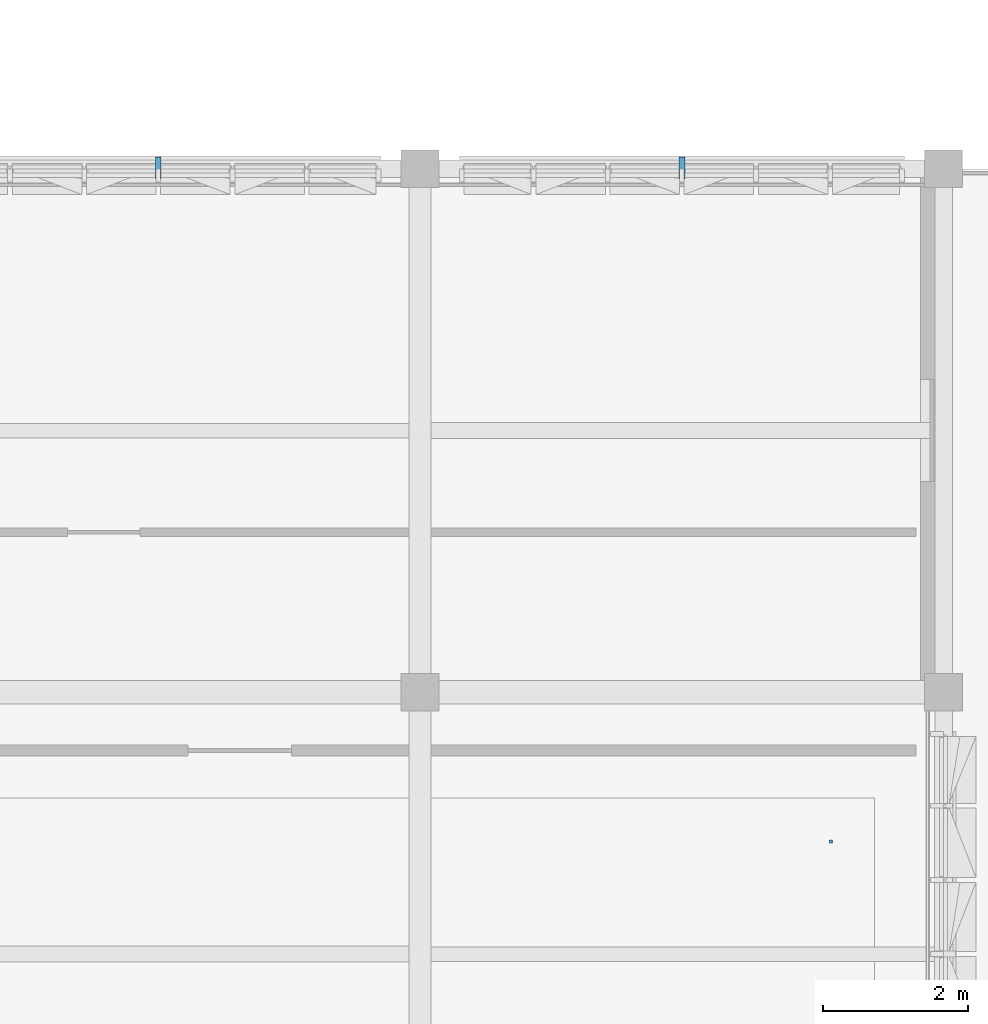
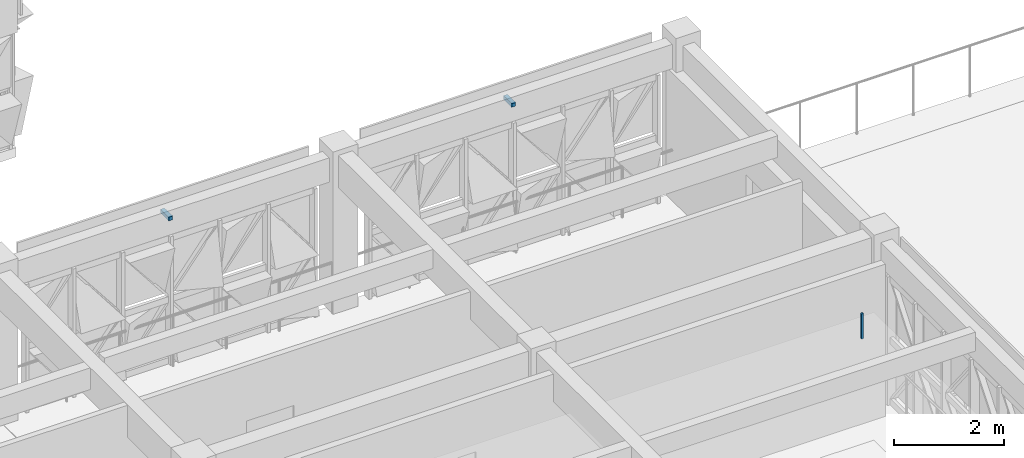
# One storey, part 70 of 99: 3 discrete accessories.
"""IFC4 building model written with IfcOpenShell, lengths in metres."""

import ifcopenshell
import ifcopenshell.guid

model = None  # the IFC model being written
_history = None  # IfcOwnerHistory: only IFC2X3 demands one
_inside = {}  # id of a spatial element -> (the spatial element, [elements in it])
_under = {}  # id of a project, library or spatial element -> (it, [spatial elements below it])
_declared = {}  # id of a project -> (the project, [libraries it declares])
_typed = {}  # id of a type object -> (the type object, [elements of that type])
_made_of = {}  # id of a material, layer set ... -> (it, [elements and type objects made of it])


def new_model(schema):
    """Start an empty IFC model of exactly this schema.

    Asked for "IFC4X3", IfcOpenShell would pick the latest addendum, in which some entities
    have other attributes; the version numbers below select the first issue.
    IFC2X3 requires an IfcOwnerHistory on every rooted entity: one is made here for all.
    """
    global model, _history
    if schema == "IFC4X3":
        model = ifcopenshell.file(schema_version=(4, 3, 0, 0))
    else:
        model = ifcopenshell.file(schema=schema)
    _inside.clear()
    _under.clear()
    _declared.clear()
    _typed.clear()
    _made_of.clear()
    _history = None
    if model.schema == "IFC2X3":
        org = make("IfcOrganization", Name="unknown")
        user = make(
            "IfcPersonAndOrganization",
            ThePerson=make("IfcPerson", FamilyName="unknown"),
            TheOrganization=org,
        )
        app = make(
            "IfcApplication",
            ApplicationDeveloper=org,
            Version="unknown",
            ApplicationFullName="unknown",
            ApplicationIdentifier="unknown",
        )
        _history = make(
            "IfcOwnerHistory",
            OwningUser=user,
            OwningApplication=app,
            ChangeAction="ADDED",
            CreationDate=0,
        )
    return model


def make(cls, **values):
    """One entity of the class cls with the attributes given. An attribute that is None is left unset."""
    return model.create_entity(
        cls, **{name: value for name, value in values.items() if value is not None}
    )


def rooted(cls, **values):
    """An entity with a GlobalId (a new one), such as an element, a storey or a relation."""
    return make(cls, GlobalId=ifcopenshell.guid.new(), OwnerHistory=_history, **values)


def si_unit(unit_type, name, prefix=None):
    """IfcSIUnit, for example si_unit("LENGTHUNIT", "METRE", prefix="MILLI")."""
    return make("IfcSIUnit", UnitType=unit_type, Prefix=prefix, Name=name)


def assignment(units):
    """IfcUnitAssignment: the units of a project."""
    return None if units is None else make("IfcUnitAssignment", Units=units)


def point(xyz):
    """IfcCartesianPoint."""
    return None if xyz is None else make("IfcCartesianPoint", Coordinates=xyz)


def direction(xyz):
    """IfcDirection."""
    return None if xyz is None else make("IfcDirection", DirectionRatios=xyz)


def frame(location, z_axis=None, x_axis=None):
    """IfcAxis2Placement3D, a coordinate frame: its origin and axes. An axis left out is left unset."""
    return make(
        "IfcAxis2Placement3D",
        Location=point(location),
        Axis=direction(z_axis),
        RefDirection=direction(x_axis),
    )


def frame_2d(location, x_axis=None):
    """IfcAxis2Placement2D, a coordinate frame in the plane: its origin and x axis."""
    return make(
        "IfcAxis2Placement2D", Location=point(location), RefDirection=direction(x_axis)
    )


def origin():
    """The frame at (0, 0, 0) with its axes left unset."""
    return frame((0.0, 0.0, 0.0))


def origin_2d():
    """The frame at (0, 0) in the plane with its x axis left unset."""
    return frame_2d((0.0, 0.0))


def place(relative_to, where):
    """IfcLocalPlacement: puts the frame where relative to a parent placement (None: the world)."""
    return make(
        "IfcLocalPlacement", PlacementRelTo=relative_to, RelativePlacement=where
    )


def context(
    kind, dimensions, precision=None, world=None, true_north=None, identifier=None
):
    """IfcGeometricRepresentationContext, for example the 3D "Model" context."""
    return make(
        "IfcGeometricRepresentationContext",
        ContextIdentifier=identifier,
        ContextType=kind,
        CoordinateSpaceDimension=dimensions,
        Precision=precision,
        WorldCoordinateSystem=world,
        TrueNorth=true_north,
    )


def subcontext(parent, identifier, kind, view, scale=None):
    """IfcGeometricRepresentationSubContext, for example "Body" below "Model"."""
    return make(
        "IfcGeometricRepresentationSubContext",
        ContextIdentifier=identifier,
        ContextType=kind,
        ParentContext=parent,
        TargetScale=scale,
        TargetView=view,
    )


def project(units=None, contexts=None):
    """IfcProject with its units and contexts."""
    return rooted(
        "IfcProject",
        Name="project",
        RepresentationContexts=contexts,
        UnitsInContext=assignment(units),
    )


def spatial(cls, under=None, at=None, **own):
    """A site, building, storey or space (cls), placed at a placement, below another one or the project."""
    s = rooted(cls, ObjectPlacement=at, **own)
    if under is not None:
        _under.setdefault(under.id(), (under, []))[1].append(s)
    return s


def profile(cls, at=None, kind="AREA", **sizes):
    """A parametric profile (cls). Its sizes go by their IFC names, for example OverallWidth=200.0."""
    return make(cls, ProfileType=kind, Position=at, **sizes)


def rectangle(**sizes):
    """IfcRectangleProfileDef."""
    return profile("IfcRectangleProfileDef", **sizes)


def extrude(swept, where, along, depth):
    """IfcExtrudedAreaSolid: the profile swept, set in the frame where, extruded along a direction by depth."""
    return make(
        "IfcExtrudedAreaSolid",
        SweptArea=swept,
        Position=where,
        ExtrudedDirection=direction(along),
        Depth=depth,
    )


def shape(context_of_items, identifier, shape_type, items):
    """IfcShapeRepresentation: the items that make up one representation, for example the "Body"."""
    return make(
        "IfcShapeRepresentation",
        ContextOfItems=context_of_items,
        RepresentationIdentifier=identifier,
        RepresentationType=shape_type,
        Items=items,
    )


def material(Name=None, Category=None):
    """IfcMaterial."""
    return make("IfcMaterial", Name=Name, Category=Category)


def made_of(thing, what):
    """Note that an element or type object is made of a material, layer set ...; save() writes the relation."""
    if what is not None:
        _made_of.setdefault(what.id(), (what, []))[1].append(thing)
    return thing


def type_object(cls, material=None, **own):
    """A type object (cls), such as IfcWallType, which elements share."""
    return made_of(rooted(cls, **own), material)


def element(
    cls,
    number,
    at=None,
    inside=None,
    cuts=None,
    type_object=None,
    material=None,
    context=None,
    identifier="Body",
    shape_type=None,
    held_by="IfcProductDefinitionShape",
    body=None,
    shapes=None,
    **own,
):
    """One element of the class cls, such as IfcWall. Its Tag is "e" and its number.

    at: its placement. inside: the storey or other place that contains it. cuts: it is an
    opening in that element (IfcRelVoidsElement). A single representation is given by context,
    identifier, shape_type and body (its items); several are given by shapes. held_by: the class
    of the entity that holds the representations. save() writes the other relations.
    """
    e = rooted(cls, Tag="e%d" % number, ObjectPlacement=at, **own)
    if body is not None:
        shapes = [shape(context, identifier, shape_type, body)]
    if shapes is not None:
        e.Representation = make(held_by, Representations=shapes)
    if inside is not None:
        _inside.setdefault(inside.id(), (inside, []))[1].append(e)
    if cuts is not None:
        rooted(
            "IfcRelVoidsElement", RelatingBuildingElement=cuts, RelatedOpeningElement=e
        )
    if type_object is not None:
        _typed.setdefault(type_object.id(), (type_object, []))[1].append(e)
    return made_of(e, material)


def aggregate(whole, parts):
    """IfcRelAggregates: a whole, such as a stair, and the parts it consists of."""
    return rooted("IfcRelAggregates", RelatingObject=whole, RelatedObjects=parts)


def save(model, path):
    """Write the relations noted so far, then the file.

    IfcRelAggregates (storeys below a building ...), IfcRelContainedInSpatialStructure (elements
    in a storey), IfcRelDefinesByType, IfcRelAssociatesMaterial and IfcRelDeclares: one each for
    every whole, place, type object, material and project.
    """
    for whole, parts in _under.values():
        aggregate(whole, parts)
    for where, things in _inside.values():
        rooted(
            "IfcRelContainedInSpatialStructure",
            RelatedElements=things,
            RelatingStructure=where,
        )
    for kind, things in _typed.values():
        rooted("IfcRelDefinesByType", RelatedObjects=things, RelatingType=kind)
    for what, things in _made_of.values():
        rooted("IfcRelAssociatesMaterial", RelatedObjects=things, RelatingMaterial=what)
    for by, libraries in _declared.values():
        rooted("IfcRelDeclares", RelatingContext=by, RelatedDefinitions=libraries)
    model.write(path)


model = new_model("IFC4")

# Units and contexts
model_context = context("Model", 3, precision=1e-05, world=origin(), true_north=direction((0.0, 1.0)))
body_context = subcontext(model_context, "Body", "Model", "MODEL_VIEW")
ifc_project = project(units=[si_unit("LENGTHUNIT", "METRE"), si_unit("AREAUNIT", "SQUARE_METRE"), si_unit("VOLUMEUNIT", "CUBIC_METRE"), si_unit("PLANEANGLEUNIT", "RADIAN"), si_unit("MASSUNIT", "GRAM", prefix="KILO")], contexts=[model_context])

# Site, building, storey
site_placement = place(None, origin())
site = spatial("IfcSite", under=ifc_project, at=site_placement, CompositionType="ELEMENT")
building_placement = place(site_placement, origin())
building = spatial("IfcBuilding", under=site, at=building_placement, Name="Alvorim Cloister Faculty of Sciences", CompositionType="ELEMENT")
storey_placement = place(building_placement, frame((0.0, 0.0, 12.14990234375)))
storey = spatial("IfcBuildingStorey", under=building, at=storey_placement, Name="L03", CompositionType="ELEMENT", Elevation=12.14990234375)

# Discrete accessories
ifc_material_1 = material(Name="Galvanised Painted Steel", Category="steel")
discrete_accessory_type_1 = type_object("IfcDiscreteAccessoryType", Name="ACC-CEIL-ROD", PredefinedType="BRACKET", material=ifc_material_1)
discrete_accessory_placement = place(storey_placement, frame((41.64990234375, 5.14990234375, 2.85009765625), z_axis=(0.0, 0.0, 1.0), x_axis=(1.0, 0.0, 0.0)))
element("IfcDiscreteAccessory", 1, at=discrete_accessory_placement, inside=storey, type_object=discrete_accessory_type_1, Name="Ceiling Suspension Bracket ACC-ROD-026", PredefinedType="BRACKET", context=body_context, shape_type="SweptSolid", body=[
    extrude(rectangle(XDim=0.0400390625, YDim=0.0400390625, at=origin_2d()), origin(), (0.0, 0.0, 1.0), 0.56005859375),
])
ifc_material_2 = material(Name="Aluminium Alloy 6063-T6", Category="aluminium")
discrete_accessory_type_2 = type_object("IfcDiscreteAccessoryType", Name="ACC-DIAG-BAR", PredefinedType="BRACKET", material=ifc_material_2)
for number, where, z_axis, x_axis, name in (
    (2, (32.39990234375, 14.260009765625, 3.22509765625), (0.0, 1.0, 0.0), (-1.0, 0.0, 0.0), "Slab-Edge Fascia Tie Bracket ACC-01570"),
    (3, (39.60009765625, 14.260009765625, 3.22509765625), (0.0, 1.0, 0.0), (-1.0, 0.0, 0.0), "Slab-Edge Fascia Tie Bracket ACC-01583"),
):
    element("IfcDiscreteAccessory", number, at=place(storey_placement, frame(where, z_axis=z_axis, x_axis=x_axis)), inside=storey, type_object=discrete_accessory_type_2, Name=name, PredefinedType="BRACKET", context=body_context, shape_type="SweptSolid", body=[
        extrude(rectangle(XDim=0.080078125, YDim=0.080078125, at=origin_2d()), origin(), (0.0, 0.0, 1.0), 0.300048828125),
    ])

save(model, "model.ifc")
